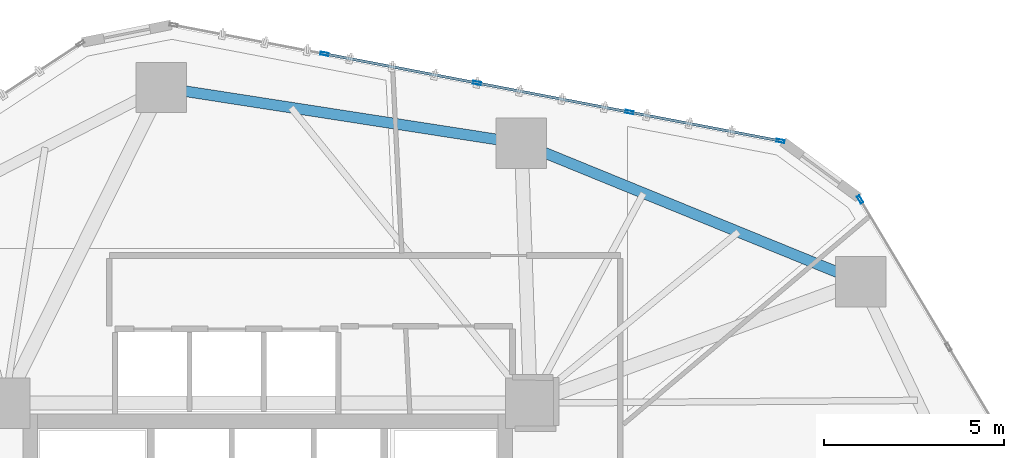
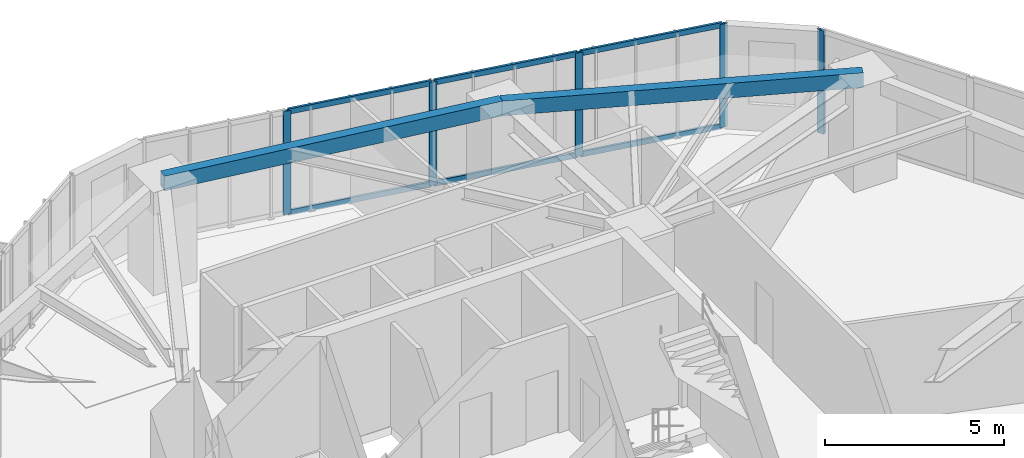
# One storey, part 14 of 20: 11 members, 2 beams, 2 elements without a shape of their own.
"""IFC4 building model written with IfcOpenShell, lengths in metres."""

import ifcopenshell
import ifcopenshell.guid

model = None  # the IFC model being written
_history = None  # IfcOwnerHistory: only IFC2X3 demands one
_inside = {}  # id of a spatial element -> (the spatial element, [elements in it])
_under = {}  # id of a project, library or spatial element -> (it, [spatial elements below it])
_declared = {}  # id of a project -> (the project, [libraries it declares])
_typed = {}  # id of a type object -> (the type object, [elements of that type])
_made_of = {}  # id of a material, layer set ... -> (it, [elements and type objects made of it])


def new_model(schema):
    """Start an empty IFC model of exactly this schema.

    Asked for "IFC4X3", IfcOpenShell would pick the latest addendum, in which some entities
    have other attributes; the version numbers below select the first issue.
    IFC2X3 requires an IfcOwnerHistory on every rooted entity: one is made here for all.
    """
    global model, _history
    if schema == "IFC4X3":
        model = ifcopenshell.file(schema_version=(4, 3, 0, 0))
    else:
        model = ifcopenshell.file(schema=schema)
    _inside.clear()
    _under.clear()
    _declared.clear()
    _typed.clear()
    _made_of.clear()
    _history = None
    if model.schema == "IFC2X3":
        org = make("IfcOrganization", Name="unknown")
        user = make(
            "IfcPersonAndOrganization",
            ThePerson=make("IfcPerson", FamilyName="unknown"),
            TheOrganization=org,
        )
        app = make(
            "IfcApplication",
            ApplicationDeveloper=org,
            Version="unknown",
            ApplicationFullName="unknown",
            ApplicationIdentifier="unknown",
        )
        _history = make(
            "IfcOwnerHistory",
            OwningUser=user,
            OwningApplication=app,
            ChangeAction="ADDED",
            CreationDate=0,
        )
    return model


def make(cls, **values):
    """One entity of the class cls with the attributes given. An attribute that is None is left unset."""
    return model.create_entity(
        cls, **{name: value for name, value in values.items() if value is not None}
    )


def rooted(cls, **values):
    """An entity with a GlobalId (a new one), such as an element, a storey or a relation."""
    return make(cls, GlobalId=ifcopenshell.guid.new(), OwnerHistory=_history, **values)


def si_unit(unit_type, name, prefix=None):
    """IfcSIUnit, for example si_unit("LENGTHUNIT", "METRE", prefix="MILLI")."""
    return make("IfcSIUnit", UnitType=unit_type, Prefix=prefix, Name=name)


def assignment(units):
    """IfcUnitAssignment: the units of a project."""
    return None if units is None else make("IfcUnitAssignment", Units=units)


def point(xyz):
    """IfcCartesianPoint."""
    return None if xyz is None else make("IfcCartesianPoint", Coordinates=xyz)


def direction(xyz):
    """IfcDirection."""
    return None if xyz is None else make("IfcDirection", DirectionRatios=xyz)


def frame(location, z_axis=None, x_axis=None):
    """IfcAxis2Placement3D, a coordinate frame: its origin and axes. An axis left out is left unset."""
    return make(
        "IfcAxis2Placement3D",
        Location=point(location),
        Axis=direction(z_axis),
        RefDirection=direction(x_axis),
    )


def frame_2d(location, x_axis=None):
    """IfcAxis2Placement2D, a coordinate frame in the plane: its origin and x axis."""
    return make(
        "IfcAxis2Placement2D", Location=point(location), RefDirection=direction(x_axis)
    )


def origin():
    """The frame at (0, 0, 0) with its axes left unset."""
    return frame((0.0, 0.0, 0.0))


def origin_2d():
    """The frame at (0, 0) in the plane with its x axis left unset."""
    return frame_2d((0.0, 0.0))


def place(relative_to, where):
    """IfcLocalPlacement: puts the frame where relative to a parent placement (None: the world)."""
    return make(
        "IfcLocalPlacement", PlacementRelTo=relative_to, RelativePlacement=where
    )


def context(
    kind, dimensions, precision=None, world=None, true_north=None, identifier=None
):
    """IfcGeometricRepresentationContext, for example the 3D "Model" context."""
    return make(
        "IfcGeometricRepresentationContext",
        ContextIdentifier=identifier,
        ContextType=kind,
        CoordinateSpaceDimension=dimensions,
        Precision=precision,
        WorldCoordinateSystem=world,
        TrueNorth=true_north,
    )


def subcontext(parent, identifier, kind, view, scale=None):
    """IfcGeometricRepresentationSubContext, for example "Body" below "Model"."""
    return make(
        "IfcGeometricRepresentationSubContext",
        ContextIdentifier=identifier,
        ContextType=kind,
        ParentContext=parent,
        TargetScale=scale,
        TargetView=view,
    )


def project(units=None, contexts=None):
    """IfcProject with its units and contexts."""
    return rooted(
        "IfcProject",
        Name="project",
        RepresentationContexts=contexts,
        UnitsInContext=assignment(units),
    )


def spatial(cls, under=None, at=None, **own):
    """A site, building, storey or space (cls), placed at a placement, below another one or the project."""
    s = rooted(cls, ObjectPlacement=at, **own)
    if under is not None:
        _under.setdefault(under.id(), (under, []))[1].append(s)
    return s


def profile(cls, at=None, kind="AREA", **sizes):
    """A parametric profile (cls). Its sizes go by their IFC names, for example OverallWidth=200.0."""
    return make(cls, ProfileType=kind, Position=at, **sizes)


def hollow_rectangle(**sizes):
    """IfcRectangleHollowProfileDef."""
    return profile("IfcRectangleHollowProfileDef", **sizes)


def extrude(swept, where, along, depth):
    """IfcExtrudedAreaSolid: the profile swept, set in the frame where, extruded along a direction by depth."""
    return make(
        "IfcExtrudedAreaSolid",
        SweptArea=swept,
        Position=where,
        ExtrudedDirection=direction(along),
        Depth=depth,
    )


def shape(context_of_items, identifier, shape_type, items):
    """IfcShapeRepresentation: the items that make up one representation, for example the "Body"."""
    return make(
        "IfcShapeRepresentation",
        ContextOfItems=context_of_items,
        RepresentationIdentifier=identifier,
        RepresentationType=shape_type,
        Items=items,
    )


def source(mapping_origin, context_of_items, identifier, shape_type, items):
    """IfcRepresentationMap: a shape defined once, which mapped items show again and again."""
    return make(
        "IfcRepresentationMap",
        MappingOrigin=mapping_origin,
        MappedRepresentation=shape(context_of_items, identifier, shape_type, items),
    )


def transform(
    local_origin,
    x_axis=None,
    y_axis=None,
    z_axis=None,
    scale=None,
    scale2=None,
    scale3=None,
    uniform=True,
):
    """IfcCartesianTransformationOperator3D, or its non-uniform kind. x_axis, y_axis, z_axis: its Axis1, 2, 3."""
    if uniform:
        return make(
            "IfcCartesianTransformationOperator3D",
            Axis1=direction(x_axis),
            Axis2=direction(y_axis),
            LocalOrigin=point(local_origin),
            Scale=scale,
            Axis3=direction(z_axis),
        )
    return make(
        "IfcCartesianTransformationOperator3DnonUniform",
        Axis1=direction(x_axis),
        Axis2=direction(y_axis),
        LocalOrigin=point(local_origin),
        Scale=scale,
        Axis3=direction(z_axis),
        Scale2=scale2,
        Scale3=scale3,
    )


def mapped(mapping_source, mapping_target):
    """IfcMappedItem: shows the shape of a source again, moved by a transform."""
    return make(
        "IfcMappedItem", MappingSource=mapping_source, MappingTarget=mapping_target
    )


def material(Name=None, Category=None):
    """IfcMaterial."""
    return make("IfcMaterial", Name=Name, Category=Category)


def layer(
    of_material, thickness, ventilated=None, Name=None, Category=None, Priority=None
):
    """IfcMaterialLayer: one layer of a wall or slab, of a material (None: an air gap)."""
    return make(
        "IfcMaterialLayer",
        Material=of_material,
        LayerThickness=thickness,
        IsVentilated=ventilated,
        Name=Name,
        Category=Category,
        Priority=Priority,
    )


def layer_set(layers, Name=None):
    """IfcMaterialLayerSet."""
    return make("IfcMaterialLayerSet", MaterialLayers=layers, LayerSetName=Name)


def material_profile(
    of_material, cross_section, Name=None, Category=None, Priority=None
):
    """IfcMaterialProfile: a cross section and its material."""
    return make(
        "IfcMaterialProfile",
        Name=Name,
        Material=of_material,
        Profile=cross_section,
        Priority=Priority,
        Category=Category,
    )


def profile_set(profiles, Name=None, composite=None):
    """IfcMaterialProfileSet."""
    return make(
        "IfcMaterialProfileSet",
        Name=Name,
        MaterialProfiles=profiles,
        CompositeProfile=composite,
    )


def made_of(thing, what):
    """Note that an element or type object is made of a material, layer set ...; save() writes the relation."""
    if what is not None:
        _made_of.setdefault(what.id(), (what, []))[1].append(thing)
    return thing


def type_object(cls, material=None, **own):
    """A type object (cls), such as IfcWallType, which elements share."""
    return made_of(rooted(cls, **own), material)


def type_shapes(of_type, sources):
    """Give a type object the sources (RepresentationMaps) that its elements show as mapped items."""
    of_type.RepresentationMaps = sources


def element(
    cls,
    number,
    at=None,
    inside=None,
    cuts=None,
    type_object=None,
    material=None,
    context=None,
    identifier="Body",
    shape_type=None,
    held_by="IfcProductDefinitionShape",
    body=None,
    shapes=None,
    **own,
):
    """One element of the class cls, such as IfcWall. Its Tag is "e" and its number.

    at: its placement. inside: the storey or other place that contains it. cuts: it is an
    opening in that element (IfcRelVoidsElement). A single representation is given by context,
    identifier, shape_type and body (its items); several are given by shapes. held_by: the class
    of the entity that holds the representations. save() writes the other relations.
    """
    e = rooted(cls, Tag="e%d" % number, ObjectPlacement=at, **own)
    if body is not None:
        shapes = [shape(context, identifier, shape_type, body)]
    if shapes is not None:
        e.Representation = make(held_by, Representations=shapes)
    if inside is not None:
        _inside.setdefault(inside.id(), (inside, []))[1].append(e)
    if cuts is not None:
        rooted(
            "IfcRelVoidsElement", RelatingBuildingElement=cuts, RelatedOpeningElement=e
        )
    if type_object is not None:
        _typed.setdefault(type_object.id(), (type_object, []))[1].append(e)
    return made_of(e, material)


def aggregate(whole, parts):
    """IfcRelAggregates: a whole, such as a stair, and the parts it consists of."""
    return rooted("IfcRelAggregates", RelatingObject=whole, RelatedObjects=parts)


def save(model, path):
    """Write the relations noted so far, then the file.

    IfcRelAggregates (storeys below a building ...), IfcRelContainedInSpatialStructure (elements
    in a storey), IfcRelDefinesByType, IfcRelAssociatesMaterial and IfcRelDeclares: one each for
    every whole, place, type object, material and project.
    """
    for whole, parts in _under.values():
        aggregate(whole, parts)
    for where, things in _inside.values():
        rooted(
            "IfcRelContainedInSpatialStructure",
            RelatedElements=things,
            RelatingStructure=where,
        )
    for kind, things in _typed.values():
        rooted("IfcRelDefinesByType", RelatedObjects=things, RelatingType=kind)
    for what, things in _made_of.values():
        rooted("IfcRelAssociatesMaterial", RelatedObjects=things, RelatingMaterial=what)
    for by, libraries in _declared.values():
        rooted("IfcRelDeclares", RelatingContext=by, RelatedDefinitions=libraries)
    model.write(path)


model = new_model("IFC4")

# Units and contexts
model_context = context("Model", 3, precision=1e-05, world=origin(), true_north=direction((0.0, 1.0)))
body_context = subcontext(model_context, "Body", "Model", "MODEL_VIEW")
ifc_project = project(units=[si_unit("LENGTHUNIT", "METRE"), si_unit("AREAUNIT", "SQUARE_METRE"), si_unit("VOLUMEUNIT", "CUBIC_METRE"), si_unit("PLANEANGLEUNIT", "RADIAN"), si_unit("MASSUNIT", "GRAM", prefix="KILO")], contexts=[model_context])

# Site, building, storey
site_placement = place(None, origin())
site = spatial("IfcSite", under=ifc_project, at=site_placement, CompositionType="ELEMENT")
building_placement = place(site_placement, origin())
building = spatial("IfcBuilding", under=site, at=building_placement, Name="Talar Marvaseh", CompositionType="ELEMENT")
storey_placement = place(building_placement, frame((0.0, 0.0, 58.199951171875)))
storey = spatial("IfcBuildingStorey", under=building, at=storey_placement, Name="L14", CompositionType="ELEMENT", Elevation=58.199951171875)

# Beams
ifc_material_1 = material(Name="Steel S355", Category="steel")
ifc_material_profile_1 = material_profile(ifc_material_1, hollow_rectangle(XDim=0.300048828125, YDim=0.5, WallThickness=0.02001953125, at=origin_2d()), Name="RHS500x300x20")
ifc_profile_set_1 = profile_set([ifc_material_profile_1], Name="Steel S355")
beam_type = type_object("IfcBeamType", Name="Zone 1 Perimeter Spandrel Beam RHS500x300x20", PredefinedType="SPANDREL", material=ifc_profile_set_1)
beam_1_placement = place(storey_placement, frame((23.047119140625, 45.6669921875, 3.27001953125), z_axis=(0.988210751461, -0.153099675693, 0.0), x_axis=(0.153099675693, 0.988210751461, 0.0)))
element("IfcBeam", 1, at=beam_1_placement, inside=storey, type_object=beam_type, Name="L14 Zone 1 Perimeter Spandrel Beam RHS500x300x20", PredefinedType="SPANDREL", context=body_context, shape_type="SweptSolid", body=[
    extrude(hollow_rectangle(XDim=0.300048828125, YDim=0.5, WallThickness=0.02001953125, at=origin_2d()), origin(), (0.0, 0.0, 1.0), 10.1181640625),
])
beam_2_placement = place(storey_placement, frame((33.0458984375, 44.117919921875, 3.27001953125), z_axis=(0.92586732306, -0.377848779395, 0.0), x_axis=(0.377848779395, 0.92586732306, 0.0)))
element("IfcBeam", 2, at=beam_2_placement, inside=storey, type_object=beam_type, Name="L14 Zone 1 Perimeter Spandrel Beam RHS500x300x20", PredefinedType="SPANDREL", context=body_context, shape_type="SweptSolid", body=[
    extrude(hollow_rectangle(XDim=0.300048828125, YDim=0.5, WallThickness=0.02001953125, at=origin_2d()), origin(), (0.0, 0.0, 1.0), 10.186279296875),
])

# Curtain wall, members
ifc_material_2 = material(Name="Architectural Aluminium", Category="aluminium")
ifc_layer = layer(ifc_material_2, 0.219970703125)
ifc_layer_set = layer_set([ifc_layer], Name="Architectural Aluminium")
curtain_wall_type = type_object("IfcCurtainWallType", Name="Unitised Low-E Museum Curtain Wall Z1", PredefinedType="NOTDEFINED", material=ifc_layer_set)
curtain_wall_1_placement = place(storey_placement, origin())
curtain_wall_1 = element("IfcCurtainWall", 3, at=curtain_wall_1_placement, inside=storey, type_object=curtain_wall_type, Name="L14 Unitised Low-E Museum Curtain Wall Z1", PredefinedType="NOTDEFINED")
ifc_material_profile_2 = material_profile(ifc_material_2, hollow_rectangle(XDim=0.080078125, YDim=0.219970703125, WallThickness=0.0048828125, at=origin_2d()), Name="RHS220x80x5")
ifc_profile_set_2 = profile_set([ifc_material_profile_2], Name="Architectural Aluminium")
member_type_1 = type_object("IfcMemberType", Name="Unitised Curtain Wall Heavy Mullion RHS220x80x5", PredefinedType="MULLION", material=ifc_profile_set_2)
shared_shape_1 = source(origin(), body_context, "Body", "SweptSolid", [
    extrude(hollow_rectangle(XDim=0.080078125, YDim=0.219970703125, WallThickness=0.0048828125, at=origin_2d()), origin(), (0.0, 0.0, 1.0), 3.52001953125),
])
type_shapes(member_type_1, [shared_shape_1])
member_1_placement = place(storey_placement, frame((27.58056640625, 46.600830078125, 0.0), z_axis=(0.0, 0.0, 1.0), x_axis=(0.187685158786, 0.982229240642, 0.0)))
member_1 = element("IfcMember", 4, at=member_1_placement, type_object=member_type_1, Name="CW-Z1 mullion 2", PredefinedType="MULLION", context=body_context, shape_type="MappedRepresentation", body=[
    mapped(shared_shape_1, transform((0.0, 0.0, 0.0), x_axis=(1.0, 0.0, 0.0), y_axis=(0.0, 1.0, 0.0), z_axis=(0.0, 0.0, 1.0), scale=1.0)),
])
member_2_placement = place(storey_placement, frame((31.81591796875, 45.791748046875, 0.0), z_axis=(0.0, 0.0, 1.0), x_axis=(0.187685158786, 0.982229240642, 0.0)))
member_2 = element("IfcMember", 5, at=member_2_placement, type_object=member_type_1, Name="CW-Z1 mullion 3", PredefinedType="MULLION", context=body_context, shape_type="MappedRepresentation", body=[
    mapped(shared_shape_1, transform((0.0, 0.0, 0.0), x_axis=(1.0, 0.0, 0.0), y_axis=(0.0, 1.0, 0.0), z_axis=(0.0, 0.0, 1.0), scale=1.0)),
])
member_3_placement = place(storey_placement, frame((36.051025390625, 44.982421875, 0.0), z_axis=(0.0, 0.0, 1.0), x_axis=(0.187685158786, 0.982229240642, 0.0)))
member_3 = element("IfcMember", 6, at=member_3_placement, type_object=member_type_1, Name="CW-Z1 mullion 4", PredefinedType="MULLION", context=body_context, shape_type="MappedRepresentation", body=[
    mapped(shared_shape_1, transform((0.0, 0.0, 0.0), x_axis=(1.0, 0.0, 0.0), y_axis=(0.0, 1.0, 0.0), z_axis=(0.0, 0.0, 1.0), scale=1.0)),
])
member_4_placement = place(storey_placement, frame((40.2470703125, 44.1806640625, 0.0), z_axis=(0.0, 0.0, 1.0), x_axis=(0.187685158786, 0.982229240642, 0.0)))
member_4 = element("IfcMember", 7, at=member_4_placement, type_object=member_type_1, Name="CW-Z1 mullion 5", PredefinedType="MULLION", context=body_context, shape_type="MappedRepresentation", body=[
    mapped(shared_shape_1, transform((0.0, 0.0, 0.0), x_axis=(1.0, 0.0, 0.0), y_axis=(0.0, 1.0, 0.0), z_axis=(0.0, 0.0, 1.0), scale=1.0)),
])

# Curtain wall, member
curtain_wall_2_placement = place(storey_placement, origin())
curtain_wall_2 = element("IfcCurtainWall", 8, at=curtain_wall_2_placement, inside=storey, type_object=curtain_wall_type, Name="L14 Unitised Low-E Museum Curtain Wall Z1", PredefinedType="NOTDEFINED")
member_5_placement = place(storey_placement, frame((42.459228515625, 42.5546875, 0.0), z_axis=(0.0, 0.0, 1.0), x_axis=(0.858028746169, 0.513601665445, 0.0)))
member_5 = element("IfcMember", 9, at=member_5_placement, type_object=member_type_1, Name="CW-Z1 mullion 1", PredefinedType="MULLION", context=body_context, shape_type="MappedRepresentation", body=[
    mapped(shared_shape_1, transform((0.0, 0.0, 0.0), x_axis=(1.0, 0.0, 0.0), y_axis=(0.0, 1.0, 0.0), z_axis=(0.0, 0.0, 1.0), scale=1.0)),
])
aggregate(curtain_wall_2, [member_5])

# Member
ifc_material_profile_3 = material_profile(ifc_material_2, hollow_rectangle(XDim=0.074951171875, YDim=0.179931640625, WallThickness=0.0048828125, at=origin_2d()), Name="RHS180x75x5")
ifc_profile_set_3 = profile_set([ifc_material_profile_3], Name="Architectural Aluminium")
member_type_2 = type_object("IfcMemberType", Name="Unitised Curtain Wall Transom RHS180x75x5", PredefinedType="USERDEFINED", material=ifc_profile_set_3)
shared_shape_2 = source(origin(), body_context, "Body", "SweptSolid", [
    extrude(hollow_rectangle(XDim=0.074951171875, YDim=0.179931640625, WallThickness=0.0048828125, at=origin_2d()), origin(), (0.0, 0.0, 1.0), 4.19189453125),
])
member_6_placement = place(storey_placement, frame((36.09033203125, 44.974853515625, 0.03759765625), z_axis=(0.982235444417, -0.187652689114, 0.0), x_axis=(0.187652689114, 0.982235444417, 0.0)))
member_6 = element("IfcMember", 10, at=member_6_placement, type_object=member_type_2, Name="CW-Z1 transom 4.1", ObjectType="TRANSOM", PredefinedType="USERDEFINED", context=body_context, shape_type="MappedRepresentation", body=[
    mapped(shared_shape_2, transform((0.0, 0.0, 0.0), x_axis=(1.0, 0.0, 0.0), y_axis=(0.0, 1.0, 0.0), z_axis=(0.0, 0.0, 1.0), scale=1.0)),
])

member_7_placement = place(storey_placement, frame((36.09033203125, 44.974853515625, 3.482666015625), z_axis=(0.982235444417, -0.187652689114, 0.0), x_axis=(0.187652689114, 0.982235444417, 0.0)))
member_7 = element("IfcMember", 11, at=member_7_placement, type_object=member_type_2, Name="CW-Z1 transom 4.2", ObjectType="TRANSOM", PredefinedType="USERDEFINED", context=body_context, shape_type="MappedRepresentation", body=[
    mapped(shared_shape_2, transform((0.0, 0.0, 0.0), x_axis=(1.0, 0.0, 0.0), y_axis=(0.0, 1.0, 0.0), z_axis=(0.0, 0.0, 1.0), scale=1.0)),
])

shared_shape_3 = source(origin(), body_context, "Body", "SweptSolid", [
    extrude(hollow_rectangle(XDim=0.074951171875, YDim=0.179931640625, WallThickness=0.0048828125, at=origin_2d()), origin(), (0.0, 0.0, 1.0), 4.23193359375),
])
type_shapes(member_type_2, [shared_shape_2, shared_shape_3])
member_8_placement = place(storey_placement, frame((27.619873046875, 46.593505859375, 0.03759765625), z_axis=(0.982222240696, -0.187721788513, 0.0), x_axis=(0.187721788513, 0.982222240696, 0.0)))
member_8 = element("IfcMember", 12, at=member_8_placement, type_object=member_type_2, Name="CW-Z1 transom 2.1", ObjectType="TRANSOM", PredefinedType="USERDEFINED", context=body_context, shape_type="MappedRepresentation", body=[
    mapped(shared_shape_3, transform((0.0, 0.0, 0.0), x_axis=(1.0, 0.0, 0.0), y_axis=(0.0, 1.0, 0.0), z_axis=(0.0, 0.0, 1.0), scale=1.0)),
])

member_9_placement = place(storey_placement, frame((27.619873046875, 46.593505859375, 3.482666015625), z_axis=(0.982222240696, -0.187721788513, 0.0), x_axis=(0.187721788513, 0.982222240696, 0.0)))
member_9 = element("IfcMember", 13, at=member_9_placement, type_object=member_type_2, Name="CW-Z1 transom 2.2", ObjectType="TRANSOM", PredefinedType="USERDEFINED", context=body_context, shape_type="MappedRepresentation", body=[
    mapped(shared_shape_3, transform((0.0, 0.0, 0.0), x_axis=(1.0, 0.0, 0.0), y_axis=(0.0, 1.0, 0.0), z_axis=(0.0, 0.0, 1.0), scale=1.0)),
])

member_10_placement = place(storey_placement, frame((31.85498046875, 45.7841796875, 0.03759765625), z_axis=(0.982232876293, -0.18766613101, 0.0), x_axis=(0.18766613101, 0.982232876293, 0.0)))
member_10 = element("IfcMember", 14, at=member_10_placement, type_object=member_type_2, Name="CW-Z1 transom 3.1", ObjectType="TRANSOM", PredefinedType="USERDEFINED", context=body_context, shape_type="MappedRepresentation", body=[
    mapped(shared_shape_3, transform((0.0, 0.0, 0.0), x_axis=(1.0, 0.0, 0.0), y_axis=(0.0, 1.0, 0.0), z_axis=(0.0, 0.0, 1.0), scale=1.0)),
])

member_11_placement = place(storey_placement, frame((31.85498046875, 45.7841796875, 3.482666015625), z_axis=(0.982232876293, -0.18766613101, 0.0), x_axis=(0.18766613101, 0.982232876293, 0.0)))
member_11 = element("IfcMember", 15, at=member_11_placement, type_object=member_type_2, Name="CW-Z1 transom 3.2", ObjectType="TRANSOM", PredefinedType="USERDEFINED", context=body_context, shape_type="MappedRepresentation", body=[
    mapped(shared_shape_3, transform((0.0, 0.0, 0.0), x_axis=(1.0, 0.0, 0.0), y_axis=(0.0, 1.0, 0.0), z_axis=(0.0, 0.0, 1.0), scale=1.0)),
])

aggregate(curtain_wall_1, [member_1, member_2, member_3, member_4, member_8, member_9, member_10, member_11, member_6, member_7])

save(model, "model.ifc")
